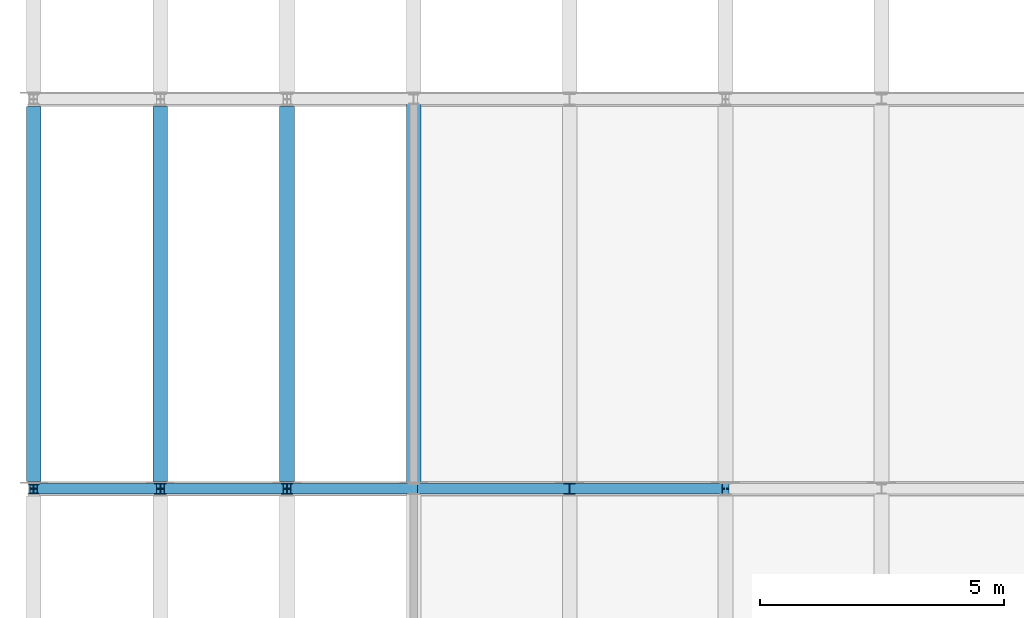
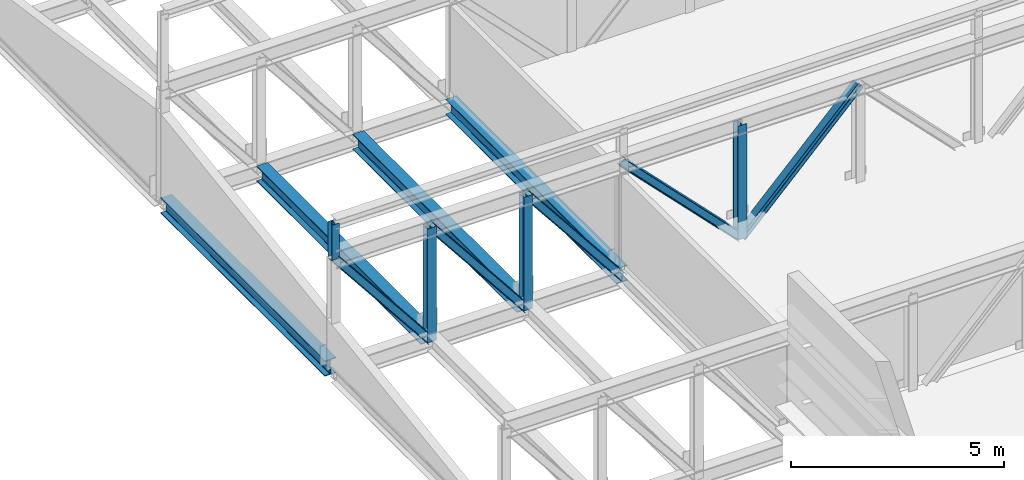
# One storey, part 13 of 34: 9 members, 4 beams.
"""IFC4 building model written with IfcOpenShell, lengths in metres."""

from ifc_helpers import new_model, si_unit, direction, frame, origin, origin_2d, place, context, subcontext, project, spatial, i_section, extrude, material, material_profile, profile_set, type_object, element, save


model = new_model("IFC4")

# Units and contexts
model_context = context("Model", 3, precision=1e-05, world=origin(), true_north=direction((0.0, 1.0)))
body_context = subcontext(model_context, "Body", "Model", "MODEL_VIEW")
ifc_project = project(units=[si_unit("LENGTHUNIT", "METRE"), si_unit("AREAUNIT", "SQUARE_METRE"), si_unit("VOLUMEUNIT", "CUBIC_METRE"), si_unit("PLANEANGLEUNIT", "RADIAN"), si_unit("MASSUNIT", "GRAM", prefix="KILO")], contexts=[model_context])

# Site, building, storey
site_placement = place(None, origin())
site = spatial("IfcSite", under=ifc_project, at=site_placement, CompositionType="ELEMENT")
building_placement = place(site_placement, origin())
building = spatial("IfcBuilding", under=site, at=building_placement, Name="Alderhovde Museum", CompositionType="ELEMENT")
storey_placement = place(building_placement, frame((0.0, 0.0, 25.800048828125)))
storey = spatial("IfcBuildingStorey", under=building, at=storey_placement, Name="L05", CompositionType="ELEMENT", Elevation=25.800048828125)

# Beams
ifc_material_1 = material(Name="Steel S355J2", Category="steel")
ifc_material_profile_1 = material_profile(ifc_material_1, i_section(OverallWidth=0.300048828125, OverallDepth=0.43994140625, WebThickness=0.011474609375, FlangeThickness=0.02099609375, FilletRadius=0.027099609375, at=origin_2d()), Name="HEA 450")
ifc_profile_set_1 = profile_set([ifc_material_profile_1], Name="Steel S355J2")
beam_type = type_object("IfcBeamType", Name="BM-HEA450", PredefinedType="BEAM", material=ifc_profile_set_1)
for number, where, z_axis, x_axis, name in (
    (1, (1.800048828125, 88.14990234375, -0.47998046875), (0.0, 1.0, 0.0), (-1.0, 0.0, 0.0), "L05 Transfer Transverse Beam X=1.8"),
    (2, (4.39990234375, 88.14990234375, -0.47998046875), (0.0, 1.0, 0.0), (-1.0, 0.0, 0.0), "L05 Transfer Transverse Beam X=4.4"),
    (3, (7.0, 88.14990234375, -0.47998046875), (0.0, 1.0, 0.0), (-1.0, 0.0, 0.0), "L05 Transfer Transverse Beam X=7.0"),
):
    element("IfcBeam", number, at=place(storey_placement, frame(where, z_axis=z_axis, x_axis=x_axis)), inside=storey, type_object=beam_type, Name=name, PredefinedType="BEAM", context=body_context, shape_type="SweptSolid", body=[
        extrude(i_section(OverallWidth=0.300048828125, OverallDepth=0.43994140625, WebThickness=0.011474609375, FlangeThickness=0.02099609375, FilletRadius=0.027099609375, at=origin_2d()), origin(), (0.0, 0.0, 1.0), 7.7001953125),
    ])
beam_placement = place(storey_placement, frame((9.60009765625, 88.0, -0.47998046875), z_axis=(0.0, 1.0, 0.0), x_axis=(-1.0, 0.0, 0.0)))
element("IfcBeam", 4, at=beam_placement, inside=storey, type_object=beam_type, Name="L05 Transfer Transverse Beam X=9.6", PredefinedType="BEAM", context=body_context, shape_type="SweptSolid", body=[
    extrude(i_section(OverallWidth=0.300048828125, OverallDepth=0.43994140625, WebThickness=0.011474609375, FlangeThickness=0.02099609375, FilletRadius=0.027099609375, at=origin_2d()), origin(), (0.0, 0.0, 1.0), 8.0),
])

# Members
ifc_material_2 = material(Name="Steel S355J2", Category="steel")
ifc_material_profile_2 = material_profile(ifc_material_2, i_section(OverallWidth=0.219970703125, OverallDepth=0.2099609375, WebThickness=0.007080078125, FlangeThickness=0.010986328125, FilletRadius=0.01806640625, at=origin_2d()), Name="HEA 220")
ifc_profile_set_2 = profile_set([ifc_material_profile_2], Name="Steel S355J2")
member_type_1 = type_object("IfcMemberType", Name="TR-DG-HEA220", PredefinedType="RAFTER", material=ifc_profile_set_2)
member_1_placement = place(storey_placement, frame((1.800048828125, 88.0, 2.75), z_axis=(0.623501892836, 0.0, -0.781821840082), x_axis=(0.0, 1.0, 0.0)))
element("IfcMember", 5, at=member_1_placement, inside=storey, type_object=member_type_1, Name="Transfer Truss Y=88 T3 Diagonal 1", PredefinedType="RAFTER", context=body_context, shape_type="SweptSolid", body=[
    extrude(i_section(OverallWidth=0.219970703125, OverallDepth=0.2099609375, WebThickness=0.007080078125, FlangeThickness=0.010986328125, FilletRadius=0.01806640625, at=origin_2d()), origin(), (0.0, 0.0, 1.0), 4.169677734375),
])
for number, where, z_axis, x_axis, name in (
    (6, (4.39990234375, 88.0, 2.75), (0.623537679463, 0.0, -0.781793298955), (0.0, 1.0, 0.0), "Transfer Truss Y=88 T3 Diagonal 2"),
    (7, (7.0, 88.0, 2.75), (0.623537679463, 0.0, -0.781793298955), (0.0, 1.0, 0.0), "Transfer Truss Y=88 T3 Diagonal 3"),
):
    element("IfcMember", number, at=place(storey_placement, frame(where, z_axis=z_axis, x_axis=x_axis)), inside=storey, type_object=member_type_1, Name=name, PredefinedType="RAFTER", context=body_context, shape_type="SweptSolid", body=[
        extrude(i_section(OverallWidth=0.219970703125, OverallDepth=0.2099609375, WebThickness=0.007080078125, FlangeThickness=0.010986328125, FilletRadius=0.01806640625, at=origin_2d()), origin(), (0.0, 0.0, 1.0), 4.169921875),
    ])
for number, where, z_axis, x_axis, name in (
    (8, (9.60009765625, 88.0, 2.75), (0.700502499188, 0.0, -0.713649948246), (0.0, 1.0, 0.0), "Transfer Truss Y=88 T3 Diagonal 4"),
    (9, (12.800048828125, 88.0, -0.510009765625), (0.700502499188, 0.0, 0.713649948246), (0.0, 1.0, 0.0), "Transfer Truss Y=88 T3 Diagonal 5"),
):
    element("IfcMember", number, at=place(storey_placement, frame(where, z_axis=z_axis, x_axis=x_axis)), inside=storey, type_object=member_type_1, Name=name, PredefinedType="RAFTER", context=body_context, shape_type="SweptSolid", body=[
        extrude(i_section(OverallWidth=0.219970703125, OverallDepth=0.2099609375, WebThickness=0.007080078125, FlangeThickness=0.010986328125, FilletRadius=0.01806640625, at=origin_2d()), origin(), (0.0, 0.0, 1.0), 4.568115234375),
    ])
ifc_material_3 = material(Name="Steel S355J2", Category="steel")
ifc_material_profile_3 = material_profile(ifc_material_3, i_section(OverallWidth=0.199951171875, OverallDepth=0.18994140625, WebThickness=0.006591796875, FlangeThickness=0.010009765625, FilletRadius=0.01806640625, at=origin_2d()), Name="HEA 200")
ifc_profile_set_3 = profile_set([ifc_material_profile_3], Name="Steel S355J2")
member_type_2 = type_object("IfcMemberType", Name="TR-PS-HEA200", PredefinedType="POST", material=ifc_profile_set_3)
member_2_placement = place(storey_placement, frame((1.800048828125, 88.0, 2.75), z_axis=(0.0, 0.0, 1.0), x_axis=(1.0, 0.0, 0.0)))
element("IfcMember", 10, at=member_2_placement, inside=storey, type_object=member_type_2, Name="Vol 4 Cantilever Tip Roof Post Y=88", PredefinedType="POST", context=body_context, shape_type="SweptSolid", body=[
    extrude(i_section(OverallWidth=0.199951171875, OverallDepth=0.18994140625, WebThickness=0.006591796875, FlangeThickness=0.010009765625, FilletRadius=0.01806640625, at=origin_2d()), origin(), (0.0, 0.0, 1.0), 1.0),
])
ifc_material_4 = material(Name="Steel S355J2", Category="steel")
ifc_material_profile_4 = material_profile(ifc_material_4, i_section(OverallWidth=0.239990234375, OverallDepth=0.22998046875, WebThickness=0.007568359375, FlangeThickness=0.011962890625, FilletRadius=0.02099609375, at=origin_2d()), Name="HEA 240")
ifc_profile_set_4 = profile_set([ifc_material_profile_4], Name="Steel S355J2")
member_type_3 = type_object("IfcMemberType", Name="TR-PS-HEA240", PredefinedType="POST", material=ifc_profile_set_4)
for number, where, z_axis, x_axis, name in (
    (11, (4.39990234375, 88.0, -0.510009765625), (0.0, 0.0, 1.0), (1.0, 0.0, 0.0), "Transfer Truss Y=88 T3 Post 2"),
    (12, (7.0, 88.0, -0.510009765625), (0.0, 0.0, 1.0), (1.0, 0.0, 0.0), "Transfer Truss Y=88 T3 Post 3"),
    (13, (12.800048828125, 88.0, -0.510009765625), (0.0, 0.0, 1.0), (1.0, 0.0, 0.0), "Transfer Truss Y=88 T3 Post 5"),
):
    element("IfcMember", number, at=place(storey_placement, frame(where, z_axis=z_axis, x_axis=x_axis)), inside=storey, type_object=member_type_3, Name=name, PredefinedType="POST", context=body_context, shape_type="SweptSolid", body=[
        extrude(i_section(OverallWidth=0.239990234375, OverallDepth=0.22998046875, WebThickness=0.007568359375, FlangeThickness=0.011962890625, FilletRadius=0.02099609375, at=origin_2d()), origin(), (0.0, 0.0, 1.0), 3.260009765625),
    ])

save(model, "model.ifc")
